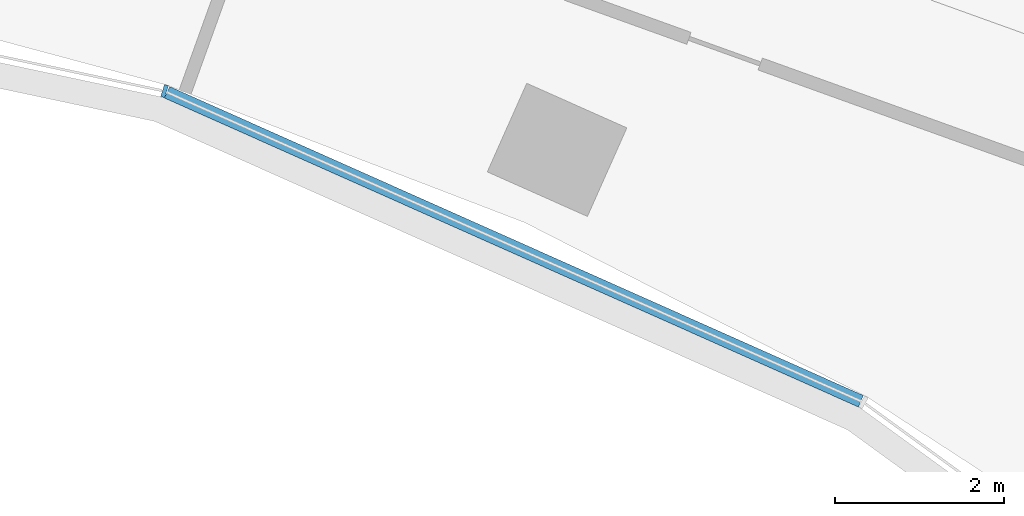
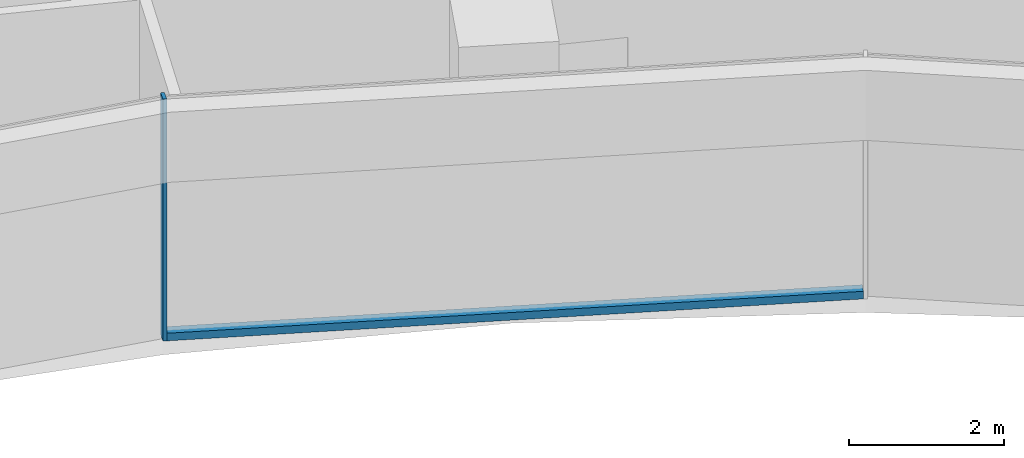
# One storey, part 9 of 21: 2 members, 1 element without a shape of its own.
"""IFC4 building model written with IfcOpenShell, lengths in metres."""

from ifc_helpers import new_model, si_unit, direction, frame, origin, origin_2d, place, context, subcontext, project, spatial, rectangle, extrude, material, layer, layer_set, material_profile, profile_set, type_object, element, aggregate, save


model = new_model("IFC4")

# Units and contexts
model_context = context("Model", 3, precision=1e-05, world=origin(), true_north=direction((0.0, 1.0)))
body_context = subcontext(model_context, "Body", "Model", "MODEL_VIEW")
ifc_project = project(units=[si_unit("LENGTHUNIT", "METRE"), si_unit("AREAUNIT", "SQUARE_METRE"), si_unit("VOLUMEUNIT", "CUBIC_METRE"), si_unit("PLANEANGLEUNIT", "RADIAN"), si_unit("MASSUNIT", "GRAM", prefix="KILO")], contexts=[model_context])

# Site, building, storey
site_placement = place(None, origin())
site = spatial("IfcSite", under=ifc_project, at=site_placement, CompositionType="ELEMENT")
building_placement = place(site_placement, origin())
building = spatial("IfcBuilding", under=site, at=building_placement, Name="Stone Belt Terrace Tower", CompositionType="ELEMENT")
storey_placement = place(building_placement, frame((0.0, 0.0, 90.800048828125)))
storey = spatial("IfcBuildingStorey", under=building, at=storey_placement, Name="L21", CompositionType="ELEMENT", Elevation=90.800048828125)

# Curtain wall, members
ifc_material = material(Name="Aluminium 6063-T6 anodised frame", Category="aluminium")
ifc_layer = layer(ifc_material, 0.14990234375)
ifc_layer_set = layer_set([ifc_layer], Name="CW-B unitised concave-face curtain wall")
curtain_wall_type = type_object("IfcCurtainWallType", Name="CW-B unitised concave-face curtain wall", PredefinedType="NOTDEFINED", material=ifc_layer_set)
curtain_wall_placement = place(storey_placement, origin())
curtain_wall = element("IfcCurtainWall", 1, at=curtain_wall_placement, inside=storey, type_object=curtain_wall_type, Name="CW-B concave face L21", PredefinedType="NOTDEFINED")
ifc_material_profile_1 = material_profile(ifc_material, rectangle(XDim=0.14990234375, YDim=0.050048828125, at=origin_2d()), Name="Aluminium 6063-T6 50x150")
ifc_profile_set_1 = profile_set([ifc_material_profile_1], Name="Aluminium 6063-T6 anodised frame")
member_type_1 = type_object("IfcMemberType", Name="CW-B mullion 50 x 150", PredefinedType="MULLION", material=ifc_profile_set_1)
member_1_placement = place(storey_placement, frame((13.4189453125, 41.29931640625, 0.0), z_axis=(0.0, 0.0, 1.0), x_axis=(0.309016994375, 0.951056516295, 0.0)))
member_1 = element("IfcMember", 2, at=member_1_placement, type_object=member_type_1, Name="CW-B mullion 7", PredefinedType="MULLION", context=body_context, shape_type="SweptSolid", body=[
    extrude(rectangle(XDim=0.14990234375, YDim=0.050048828125, at=origin_2d()), origin(), (0.0, 0.0, 1.0), 3.800048828125),
])
ifc_material_profile_2 = material_profile(ifc_material, rectangle(XDim=0.14990234375, YDim=0.1201171875, at=origin_2d()), Name="Aluminium 6063-T6 150x120")
ifc_profile_set_2 = profile_set([ifc_material_profile_2], Name="Aluminium 6063-T6 anodised frame")
member_type_2 = type_object("IfcMemberType", Name="CW-B transom 120 x 150", PredefinedType="USERDEFINED", material=ifc_profile_set_2)
member_2_placement = place(storey_placement, frame((13.44873046875, 41.285888671875, 0.06005859375), z_axis=(0.913548853737, -0.406729015237, 0.0), x_axis=(0.406729015237, 0.913548853737, 0.0)))
member_2 = element("IfcMember", 3, at=member_2_placement, type_object=member_type_2, Name="CW-B transom 7.1", ObjectType="TRANSOM", PredefinedType="USERDEFINED", context=body_context, shape_type="SweptSolid", body=[
    extrude(rectangle(XDim=0.14990234375, YDim=0.1201171875, at=origin_2d()), origin(), (0.0, 0.0, 1.0), 9.0126953125),
])
aggregate(curtain_wall, [member_1, member_2])

save(model, "model.ifc")
